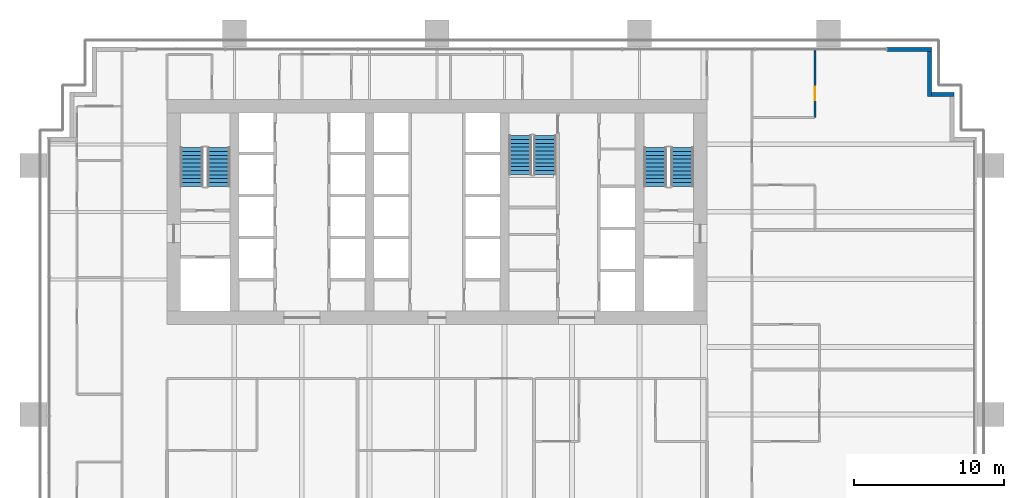
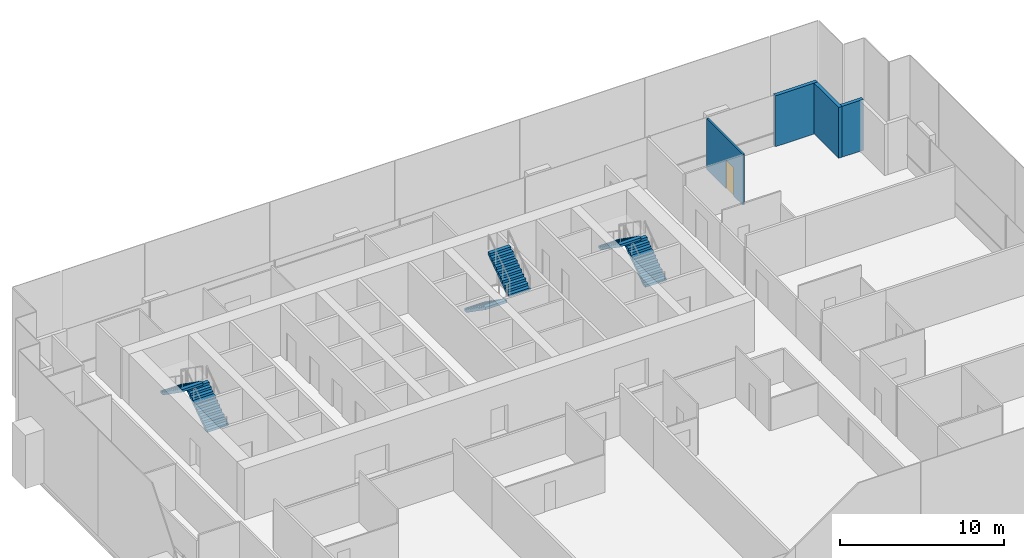
# One storey, part 16 of 19: 6 stair flights, 4 walls, 1 door, 1 opening, 3 elements without a shape of their own.
"""IFC4 building model written with IfcOpenShell, lengths in metres."""

from ifc_helpers import new_model, si_unit, direction, frame, frame_2d, origin, place, context, subcontext, project, spatial, polyline, rectangle, outline, extrude, material, layer, layer_set, type_object, element, fill, aggregate, save


model = new_model("IFC4")

# Units and contexts
model_context = context("Model", 3, precision=1e-05, world=origin(), true_north=direction((0.0, 1.0)))
body_context = subcontext(model_context, "Body", "Model", "MODEL_VIEW")
ifc_project = project(units=[si_unit("LENGTHUNIT", "METRE"), si_unit("AREAUNIT", "SQUARE_METRE"), si_unit("VOLUMEUNIT", "CUBIC_METRE"), si_unit("PLANEANGLEUNIT", "RADIAN"), si_unit("MASSUNIT", "GRAM", prefix="KILO")], contexts=[model_context])

# Site, building, storey
site_placement = place(None, origin())
site = spatial("IfcSite", under=ifc_project, at=site_placement, CompositionType="ELEMENT")
building_placement = place(site_placement, origin())
building = spatial("IfcBuilding", under=site, at=building_placement, Name="Rattan Terrace Tower", CompositionType="ELEMENT")
storey_placement = place(building_placement, frame((0.0, 0.0, 103.699951171875)))
storey = spatial("IfcBuildingStorey", under=building, at=storey_placement, Name="L23", CompositionType="ELEMENT", Elevation=103.699951171875)

# Walls
ifc_material_1 = material(Name="Insulated aluminium-clad stud wall", Category="aluminium")
ifc_layer_1 = layer(ifc_material_1, 0.25)
ifc_layer_set_1 = layer_set([ifc_layer_1], Name="Facade Riser Wall 250")
wall_type_1 = type_object("IfcWallType", Name="Facade Riser Wall 250", PredefinedType="SOLIDWALL", material=ifc_layer_set_1)
wall_1_placement = place(storey_placement, frame((34.455078125, 7.830078125, 0.0), z_axis=(0.0, 0.0, 1.0), x_axis=(-1.0, 0.0, 0.0)))
element("IfcWall", 1, at=wall_1_placement, inside=storey, type_object=wall_type_1, Name="Riser wall L23-8", PredefinedType="SOLIDWALL", context=body_context, shape_type="SweptSolid", body=[
    extrude(rectangle(XDim=1.5, YDim=0.25, at=frame_2d((0.75, 0.0))), origin(), (0.0, 0.0, 1.0), 3.800048828125),
])
wall_2_placement = place(storey_placement, frame((32.830078125, 7.705078125, 0.0), z_axis=(0.0, 0.0, 1.0), x_axis=(0.0, 1.0, 0.0)))
element("IfcWall", 2, at=wall_2_placement, inside=storey, type_object=wall_type_1, Name="Riser wall L23-9", PredefinedType="SOLIDWALL", context=body_context, shape_type="SweptSolid", body=[
    extrude(rectangle(XDim=3.0, YDim=0.25, at=frame_2d((1.5, 0.0))), origin(), (0.0, 0.0, 1.0), 3.800048828125),
])
wall_3_placement = place(storey_placement, frame((32.955078125, 10.830078125, 0.0), z_axis=(0.0, 0.0, 1.0), x_axis=(-1.0, 0.0, 0.0)))
element("IfcWall", 3, at=wall_3_placement, inside=storey, type_object=wall_type_1, Name="Riser wall L23-10", PredefinedType="SOLIDWALL", context=body_context, shape_type="SweptSolid", body=[
    extrude(rectangle(XDim=2.955078125, YDim=0.25, at=frame_2d((1.4775390625, 0.0))), origin(), (0.0, 0.0, 1.0), 3.800048828125),
])

# Wall, opening, door
ifc_material_2 = material(Name="Moisture resistant gypsum board partition on steel studs with service cavity", Category="steel")
ifc_layer_2 = layer(ifc_material_2, 0.1201171875)
ifc_layer_set_2 = layer_set([ifc_layer_2], Name="Floors Wet Wall 120")
wall_type_2 = type_object("IfcWallType", Name="Floors Wet Wall 120", PredefinedType="PARTITIONING", material=ifc_layer_set_2)
wall_4_placement = place(storey_placement, frame((25.199951171875, 6.300048828125, 0.0), z_axis=(0.0, 0.0, 1.0), x_axis=(0.0, 1.0, 0.0)))
wall_4 = element("IfcWall", 4, at=wall_4_placement, inside=storey, type_object=wall_type_2, Name="pt-L23-061", PredefinedType="PARTITIONING", context=body_context, shape_type="SweptSolid", body=[
    extrude(rectangle(XDim=4.43994140625, YDim=0.1201171875, at=frame_2d((2.219970703125, 0.0))), origin(), (0.0, 0.0, 1.0), 3.800048828125),
])
opening_placement = place(wall_4_placement, frame((1.162109375, 0.0, 0.0)))
opening = element("IfcOpeningElement", 5, at=opening_placement, cuts=wall_4, Name="Opening L23-D115", PredefinedType="OPENING", context=body_context, shape_type="SweptSolid", body=[
    extrude(rectangle(XDim=0.89990234375, YDim=2.10009765625, at=frame_2d((0.449951171875, 1.050048828125))), frame((0.0, 0.070556640625, 0.0), z_axis=(0.0, -1.0, 0.0), x_axis=(1.0, 0.0, 0.0)), (0.0, 0.0, 1.0), 0.14111328125),
])
ifc_material_3 = material(Name="Solid core timber door, painted", Category="wood")
door_type = type_object("IfcDoorType", Name="Floors Door 900x2100", OperationType="NOTDEFINED", PredefinedType="DOOR", material=ifc_material_3)
door_placement = place(opening_placement, origin())
door = element("IfcDoor", 6, at=door_placement, inside=storey, type_object=door_type, Name="d-L23-115", OperationType="SINGLE_SWING_LEFT", OverallHeight=2.10009765625, OverallWidth=0.89990234375, PredefinedType="DOOR", context=body_context, shape_type="SweptSolid", body=[
    extrude(rectangle(XDim=0.89990234375, YDim=2.10009765625, at=frame_2d((0.449951171875, 1.050048828125))), frame((0.0, 0.02490234375, 0.0), z_axis=(0.0, -1.0, 0.0), x_axis=(1.0, 0.0, 0.0)), (0.0, 0.0, 1.0), 0.050048828125),
])
fill(opening, door)

# Stair, stair flights
ifc_material_4 = material(Name="Concrete C40/50", Category="concrete")
stair_type = type_object("IfcStairType", Name="Core exit stair 1500", PredefinedType="HALF_TURN_STAIR", material=ifc_material_4)
stair_1_placement = place(storey_placement, origin())
stair_1 = element("IfcStair", 7, at=stair_1_placement, inside=storey, type_object=stair_type, Name="L23 exit stair 1", PredefinedType="HALF_TURN_STAIR")
ifc_material_5 = material(Name="Concrete C40/50", Category="concrete")
stair_flight_type = type_object("IfcStairFlightType", Name="Core exit stair flight 1500", PredefinedType="STRAIGHT", material=ifc_material_5)
stair_flight_1_placement = place(storey_placement, frame((-14.550048828125, 1.699951171875, 0.0), z_axis=(0.0, 0.0, 1.0), x_axis=(0.0, 1.0, 0.0)))
stair_flight_1 = element("IfcStairFlight", 8, at=stair_flight_1_placement, type_object=stair_flight_type, Name="S1 flight 1", NumberOfRisers=11, NumberOfTreads=10, PredefinedType="STRAIGHT", RiserHeight=0.181818182, TreadLength=0.26, context=body_context, shape_type="SweptSolid", body=[
    extrude(outline(polyline([(0.0, 0.0), (0.0, 0.181884765625), (0.260009765625, 0.181884765625), (0.260009765625, 0.363525390625), (0.52001953125, 0.363525390625), (0.52001953125, 0.54541015625), (0.780029296875, 0.54541015625), (0.780029296875, 0.727294921875), (1.0400390625, 0.727294921875), (1.0400390625, 0.9091796875), (1.300048828125, 0.9091796875), (1.300048828125, 1.0908203125), (1.56005859375, 1.0908203125), (1.56005859375, 1.272705078125), (1.820068359375, 1.272705078125), (1.820068359375, 1.45458984375), (2.080078125, 1.45458984375), (2.080078125, 1.636474609375), (2.340087890625, 1.636474609375), (2.340087890625, 1.818115234375), (2.60009765625, 1.818115234375), (2.60009765625, 2.0), (2.60009765625, 1.63525390625), (0.261474609375, 0.0), (0.0, 0.0)])), frame((0.0, 0.75, 0.0), z_axis=(0.0, -1.0, 0.0), x_axis=(1.0, 0.0, 0.0)), (0.0, 0.0, 1.0), 1.5),
])
stair_flight_2_placement = place(storey_placement, frame((-16.35009765625, 4.300048828125, 2.0), z_axis=(0.0, 0.0, 1.0), x_axis=(0.0, -1.0, 0.0)))
stair_flight_2 = element("IfcStairFlight", 9, at=stair_flight_2_placement, type_object=stair_flight_type, Name="S1 flight 2", NumberOfRisers=11, NumberOfTreads=10, PredefinedType="STRAIGHT", RiserHeight=0.181818182, TreadLength=0.26, context=body_context, shape_type="SweptSolid", body=[
    extrude(outline(polyline([(0.0, 0.0), (0.0, 0.181884765625), (0.260009765625, 0.181884765625), (0.260009765625, 0.363525390625), (0.52001953125, 0.363525390625), (0.52001953125, 0.54541015625), (0.780029296875, 0.54541015625), (0.780029296875, 0.727294921875), (1.0400390625, 0.727294921875), (1.0400390625, 0.9091796875), (1.300048828125, 0.9091796875), (1.300048828125, 1.0908203125), (1.56005859375, 1.0908203125), (1.56005859375, 1.272705078125), (1.820068359375, 1.272705078125), (1.820068359375, 1.45458984375), (2.080078125, 1.45458984375), (2.080078125, 1.636474609375), (2.340087890625, 1.636474609375), (2.340087890625, 1.818115234375), (2.60009765625, 1.818115234375), (2.60009765625, 2.0), (2.60009765625, 1.63525390625), (0.261474609375, 0.0), (0.0, 0.0)])), frame((0.0, 0.75, 0.0), z_axis=(0.0, -1.0, 0.0), x_axis=(1.0, 0.0, 0.0)), (0.0, 0.0, 1.0), 1.5),
])
aggregate(stair_1, [stair_flight_1, stair_flight_2])

stair_2_placement = place(storey_placement, origin())
stair_2 = element("IfcStair", 10, at=stair_2_placement, inside=storey, type_object=stair_type, Name="L23 exit stair 2", PredefinedType="HALF_TURN_STAIR")
stair_flight_3_placement = place(storey_placement, frame((16.35009765625, 1.699951171875, 0.0), z_axis=(0.0, 0.0, 1.0), x_axis=(0.0, 1.0, 0.0)))
stair_flight_3 = element("IfcStairFlight", 11, at=stair_flight_3_placement, type_object=stair_flight_type, Name="S2 flight 1", NumberOfRisers=11, NumberOfTreads=10, PredefinedType="STRAIGHT", RiserHeight=0.181818182, TreadLength=0.26, context=body_context, shape_type="SweptSolid", body=[
    extrude(outline(polyline([(0.0, 0.0), (0.0, 0.181884765625), (0.260009765625, 0.181884765625), (0.260009765625, 0.363525390625), (0.52001953125, 0.363525390625), (0.52001953125, 0.54541015625), (0.780029296875, 0.54541015625), (0.780029296875, 0.727294921875), (1.0400390625, 0.727294921875), (1.0400390625, 0.9091796875), (1.300048828125, 0.9091796875), (1.300048828125, 1.0908203125), (1.56005859375, 1.0908203125), (1.56005859375, 1.272705078125), (1.820068359375, 1.272705078125), (1.820068359375, 1.45458984375), (2.080078125, 1.45458984375), (2.080078125, 1.636474609375), (2.340087890625, 1.636474609375), (2.340087890625, 1.818115234375), (2.60009765625, 1.818115234375), (2.60009765625, 2.0), (2.60009765625, 1.63525390625), (0.261474609375, 0.0), (0.0, 0.0)])), frame((0.0, 0.75, 0.0), z_axis=(0.0, -1.0, 0.0), x_axis=(1.0, 0.0, 0.0)), (0.0, 0.0, 1.0), 1.5),
])
stair_flight_4_placement = place(storey_placement, frame((14.550048828125, 4.300048828125, 2.0), z_axis=(0.0, 0.0, 1.0), x_axis=(0.0, -1.0, 0.0)))
stair_flight_4 = element("IfcStairFlight", 12, at=stair_flight_4_placement, type_object=stair_flight_type, Name="S2 flight 2", NumberOfRisers=11, NumberOfTreads=10, PredefinedType="STRAIGHT", RiserHeight=0.181818182, TreadLength=0.26, context=body_context, shape_type="SweptSolid", body=[
    extrude(outline(polyline([(0.0, 0.0), (0.0, 0.181884765625), (0.260009765625, 0.181884765625), (0.260009765625, 0.363525390625), (0.52001953125, 0.363525390625), (0.52001953125, 0.54541015625), (0.780029296875, 0.54541015625), (0.780029296875, 0.727294921875), (1.0400390625, 0.727294921875), (1.0400390625, 0.9091796875), (1.300048828125, 0.9091796875), (1.300048828125, 1.0908203125), (1.56005859375, 1.0908203125), (1.56005859375, 1.272705078125), (1.820068359375, 1.272705078125), (1.820068359375, 1.45458984375), (2.080078125, 1.45458984375), (2.080078125, 1.636474609375), (2.340087890625, 1.636474609375), (2.340087890625, 1.818115234375), (2.60009765625, 1.818115234375), (2.60009765625, 2.0), (2.60009765625, 1.63525390625), (0.261474609375, 0.0), (0.0, 0.0)])), frame((0.0, 0.75, 0.0), z_axis=(0.0, -1.0, 0.0), x_axis=(1.0, 0.0, 0.0)), (0.0, 0.0, 1.0), 1.5),
])
aggregate(stair_2, [stair_flight_3, stair_flight_4])

stair_3_placement = place(storey_placement, origin())
stair_3 = element("IfcStair", 13, at=stair_3_placement, inside=storey, type_object=stair_type, Name="L23 exit stair 3", PredefinedType="HALF_TURN_STAIR")
stair_flight_5_placement = place(storey_placement, frame((5.550048828125, 5.10009765625, 0.0), z_axis=(0.0, 0.0, 1.0), x_axis=(0.0, -1.0, 0.0)))
stair_flight_5 = element("IfcStairFlight", 14, at=stair_flight_5_placement, type_object=stair_flight_type, Name="S3 flight 1", NumberOfRisers=11, NumberOfTreads=10, PredefinedType="STRAIGHT", RiserHeight=0.181818182, TreadLength=0.26, context=body_context, shape_type="SweptSolid", body=[
    extrude(outline(polyline([(0.0, 0.0), (0.0, 0.181884765625), (0.260009765625, 0.181884765625), (0.260009765625, 0.363525390625), (0.52001953125, 0.363525390625), (0.52001953125, 0.54541015625), (0.780029296875, 0.54541015625), (0.780029296875, 0.727294921875), (1.0400390625, 0.727294921875), (1.0400390625, 0.9091796875), (1.300048828125, 0.9091796875), (1.300048828125, 1.0908203125), (1.56005859375, 1.0908203125), (1.56005859375, 1.272705078125), (1.820068359375, 1.272705078125), (1.820068359375, 1.45458984375), (2.080078125, 1.45458984375), (2.080078125, 1.636474609375), (2.340087890625, 1.636474609375), (2.340087890625, 1.818115234375), (2.60009765625, 1.818115234375), (2.60009765625, 2.0), (2.60009765625, 1.63525390625), (0.261474609375, 0.0), (0.0, 0.0)])), frame((0.0, 0.75, 0.0), z_axis=(0.0, -1.0, 0.0), x_axis=(1.0, 0.0, 0.0)), (0.0, 0.0, 1.0), 1.5),
])
stair_flight_6_placement = place(storey_placement, frame((7.199951171875, 2.5, 2.0), z_axis=(0.0, 0.0, 1.0), x_axis=(0.0, 1.0, 0.0)))
stair_flight_6 = element("IfcStairFlight", 15, at=stair_flight_6_placement, type_object=stair_flight_type, Name="S3 flight 2", NumberOfRisers=11, NumberOfTreads=10, PredefinedType="STRAIGHT", RiserHeight=0.181818182, TreadLength=0.26, context=body_context, shape_type="SweptSolid", body=[
    extrude(outline(polyline([(0.0, 0.0), (0.0, 0.181884765625), (0.260009765625, 0.181884765625), (0.260009765625, 0.363525390625), (0.52001953125, 0.363525390625), (0.52001953125, 0.54541015625), (0.780029296875, 0.54541015625), (0.780029296875, 0.727294921875), (1.0400390625, 0.727294921875), (1.0400390625, 0.9091796875), (1.300048828125, 0.9091796875), (1.300048828125, 1.0908203125), (1.56005859375, 1.0908203125), (1.56005859375, 1.272705078125), (1.820068359375, 1.272705078125), (1.820068359375, 1.45458984375), (2.080078125, 1.45458984375), (2.080078125, 1.636474609375), (2.340087890625, 1.636474609375), (2.340087890625, 1.818115234375), (2.60009765625, 1.818115234375), (2.60009765625, 2.0), (2.60009765625, 1.63525390625), (0.261474609375, 0.0), (0.0, 0.0)])), frame((0.0, 0.75, 0.0), z_axis=(0.0, -1.0, 0.0), x_axis=(1.0, 0.0, 0.0)), (0.0, 0.0, 1.0), 1.5),
])
aggregate(stair_3, [stair_flight_5, stair_flight_6])

save(model, "model.ifc")
